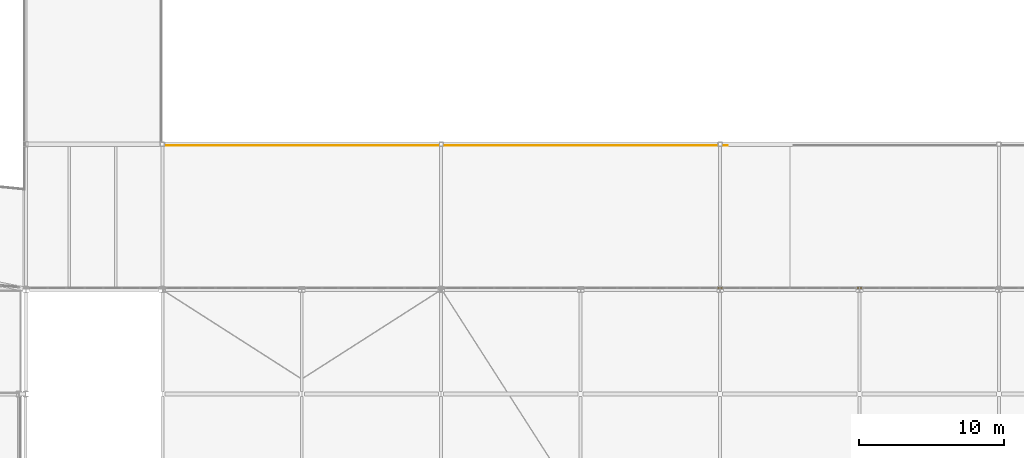
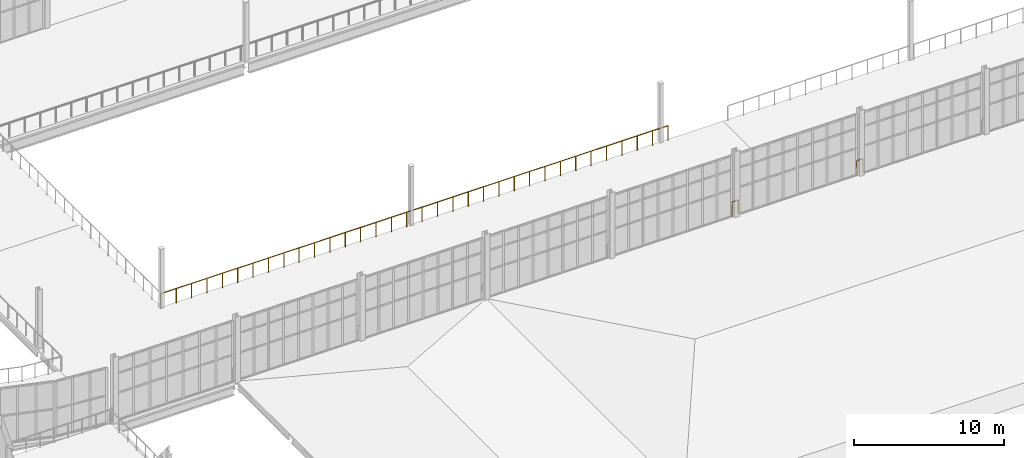
# One storey, part 105 of 112: 3 railings.
"""IFC4 building model written with IfcOpenShell, lengths in metres."""

import ifcopenshell
import ifcopenshell.guid

model = None  # the IFC model being written
_history = None  # IfcOwnerHistory: only IFC2X3 demands one
_inside = {}  # id of a spatial element -> (the spatial element, [elements in it])
_under = {}  # id of a project, library or spatial element -> (it, [spatial elements below it])
_declared = {}  # id of a project -> (the project, [libraries it declares])
_typed = {}  # id of a type object -> (the type object, [elements of that type])
_made_of = {}  # id of a material, layer set ... -> (it, [elements and type objects made of it])


def new_model(schema):
    """Start an empty IFC model of exactly this schema.

    Asked for "IFC4X3", IfcOpenShell would pick the latest addendum, in which some entities
    have other attributes; the version numbers below select the first issue.
    IFC2X3 requires an IfcOwnerHistory on every rooted entity: one is made here for all.
    """
    global model, _history
    if schema == "IFC4X3":
        model = ifcopenshell.file(schema_version=(4, 3, 0, 0))
    else:
        model = ifcopenshell.file(schema=schema)
    _inside.clear()
    _under.clear()
    _declared.clear()
    _typed.clear()
    _made_of.clear()
    _history = None
    if model.schema == "IFC2X3":
        org = make("IfcOrganization", Name="unknown")
        user = make(
            "IfcPersonAndOrganization",
            ThePerson=make("IfcPerson", FamilyName="unknown"),
            TheOrganization=org,
        )
        app = make(
            "IfcApplication",
            ApplicationDeveloper=org,
            Version="unknown",
            ApplicationFullName="unknown",
            ApplicationIdentifier="unknown",
        )
        _history = make(
            "IfcOwnerHistory",
            OwningUser=user,
            OwningApplication=app,
            ChangeAction="ADDED",
            CreationDate=0,
        )
    return model


def make(cls, **values):
    """One entity of the class cls with the attributes given. An attribute that is None is left unset."""
    return model.create_entity(
        cls, **{name: value for name, value in values.items() if value is not None}
    )


def rooted(cls, **values):
    """An entity with a GlobalId (a new one), such as an element, a storey or a relation."""
    return make(cls, GlobalId=ifcopenshell.guid.new(), OwnerHistory=_history, **values)


def si_unit(unit_type, name, prefix=None):
    """IfcSIUnit, for example si_unit("LENGTHUNIT", "METRE", prefix="MILLI")."""
    return make("IfcSIUnit", UnitType=unit_type, Prefix=prefix, Name=name)


def assignment(units):
    """IfcUnitAssignment: the units of a project."""
    return None if units is None else make("IfcUnitAssignment", Units=units)


def point(xyz):
    """IfcCartesianPoint."""
    return None if xyz is None else make("IfcCartesianPoint", Coordinates=xyz)


def direction(xyz):
    """IfcDirection."""
    return None if xyz is None else make("IfcDirection", DirectionRatios=xyz)


def frame(location, z_axis=None, x_axis=None):
    """IfcAxis2Placement3D, a coordinate frame: its origin and axes. An axis left out is left unset."""
    return make(
        "IfcAxis2Placement3D",
        Location=point(location),
        Axis=direction(z_axis),
        RefDirection=direction(x_axis),
    )


def frame_2d(location, x_axis=None):
    """IfcAxis2Placement2D, a coordinate frame in the plane: its origin and x axis."""
    return make(
        "IfcAxis2Placement2D", Location=point(location), RefDirection=direction(x_axis)
    )


def origin():
    """The frame at (0, 0, 0) with its axes left unset."""
    return frame((0.0, 0.0, 0.0))


def origin_2d():
    """The frame at (0, 0) in the plane with its x axis left unset."""
    return frame_2d((0.0, 0.0))


def place(relative_to, where):
    """IfcLocalPlacement: puts the frame where relative to a parent placement (None: the world)."""
    return make(
        "IfcLocalPlacement", PlacementRelTo=relative_to, RelativePlacement=where
    )


def context(
    kind, dimensions, precision=None, world=None, true_north=None, identifier=None
):
    """IfcGeometricRepresentationContext, for example the 3D "Model" context."""
    return make(
        "IfcGeometricRepresentationContext",
        ContextIdentifier=identifier,
        ContextType=kind,
        CoordinateSpaceDimension=dimensions,
        Precision=precision,
        WorldCoordinateSystem=world,
        TrueNorth=true_north,
    )


def subcontext(parent, identifier, kind, view, scale=None):
    """IfcGeometricRepresentationSubContext, for example "Body" below "Model"."""
    return make(
        "IfcGeometricRepresentationSubContext",
        ContextIdentifier=identifier,
        ContextType=kind,
        ParentContext=parent,
        TargetScale=scale,
        TargetView=view,
    )


def project(units=None, contexts=None):
    """IfcProject with its units and contexts."""
    return rooted(
        "IfcProject",
        Name="project",
        RepresentationContexts=contexts,
        UnitsInContext=assignment(units),
    )


def spatial(cls, under=None, at=None, **own):
    """A site, building, storey or space (cls), placed at a placement, below another one or the project."""
    s = rooted(cls, ObjectPlacement=at, **own)
    if under is not None:
        _under.setdefault(under.id(), (under, []))[1].append(s)
    return s


def profile(cls, at=None, kind="AREA", **sizes):
    """A parametric profile (cls). Its sizes go by their IFC names, for example OverallWidth=200.0."""
    return make(cls, ProfileType=kind, Position=at, **sizes)


def circle(**sizes):
    """IfcCircleProfileDef."""
    return profile("IfcCircleProfileDef", **sizes)


def extrude(swept, where, along, depth):
    """IfcExtrudedAreaSolid: the profile swept, set in the frame where, extruded along a direction by depth."""
    return make(
        "IfcExtrudedAreaSolid",
        SweptArea=swept,
        Position=where,
        ExtrudedDirection=direction(along),
        Depth=depth,
    )


def shape(context_of_items, identifier, shape_type, items):
    """IfcShapeRepresentation: the items that make up one representation, for example the "Body"."""
    return make(
        "IfcShapeRepresentation",
        ContextOfItems=context_of_items,
        RepresentationIdentifier=identifier,
        RepresentationType=shape_type,
        Items=items,
    )


def material(Name=None, Category=None):
    """IfcMaterial."""
    return make("IfcMaterial", Name=Name, Category=Category)


def made_of(thing, what):
    """Note that an element or type object is made of a material, layer set ...; save() writes the relation."""
    if what is not None:
        _made_of.setdefault(what.id(), (what, []))[1].append(thing)
    return thing


def type_object(cls, material=None, **own):
    """A type object (cls), such as IfcWallType, which elements share."""
    return made_of(rooted(cls, **own), material)


def element(
    cls,
    number,
    at=None,
    inside=None,
    cuts=None,
    type_object=None,
    material=None,
    context=None,
    identifier="Body",
    shape_type=None,
    held_by="IfcProductDefinitionShape",
    body=None,
    shapes=None,
    **own,
):
    """One element of the class cls, such as IfcWall. Its Tag is "e" and its number.

    at: its placement. inside: the storey or other place that contains it. cuts: it is an
    opening in that element (IfcRelVoidsElement). A single representation is given by context,
    identifier, shape_type and body (its items); several are given by shapes. held_by: the class
    of the entity that holds the representations. save() writes the other relations.
    """
    e = rooted(cls, Tag="e%d" % number, ObjectPlacement=at, **own)
    if body is not None:
        shapes = [shape(context, identifier, shape_type, body)]
    if shapes is not None:
        e.Representation = make(held_by, Representations=shapes)
    if inside is not None:
        _inside.setdefault(inside.id(), (inside, []))[1].append(e)
    if cuts is not None:
        rooted(
            "IfcRelVoidsElement", RelatingBuildingElement=cuts, RelatedOpeningElement=e
        )
    if type_object is not None:
        _typed.setdefault(type_object.id(), (type_object, []))[1].append(e)
    return made_of(e, material)


def aggregate(whole, parts):
    """IfcRelAggregates: a whole, such as a stair, and the parts it consists of."""
    return rooted("IfcRelAggregates", RelatingObject=whole, RelatedObjects=parts)


def save(model, path):
    """Write the relations noted so far, then the file.

    IfcRelAggregates (storeys below a building ...), IfcRelContainedInSpatialStructure (elements
    in a storey), IfcRelDefinesByType, IfcRelAssociatesMaterial and IfcRelDeclares: one each for
    every whole, place, type object, material and project.
    """
    for whole, parts in _under.values():
        aggregate(whole, parts)
    for where, things in _inside.values():
        rooted(
            "IfcRelContainedInSpatialStructure",
            RelatedElements=things,
            RelatingStructure=where,
        )
    for kind, things in _typed.values():
        rooted("IfcRelDefinesByType", RelatedObjects=things, RelatingType=kind)
    for what, things in _made_of.values():
        rooted("IfcRelAssociatesMaterial", RelatedObjects=things, RelatingMaterial=what)
    for by, libraries in _declared.values():
        rooted("IfcRelDeclares", RelatingContext=by, RelatedDefinitions=libraries)
    model.write(path)


model = new_model("IFC4")

# Units and contexts
model_context = context("Model", 3, precision=1e-05, world=origin(), true_north=direction((0.0, 1.0)))
body_context = subcontext(model_context, "Body", "Model", "MODEL_VIEW")
ifc_project = project(units=[si_unit("LENGTHUNIT", "METRE"), si_unit("AREAUNIT", "SQUARE_METRE"), si_unit("VOLUMEUNIT", "CUBIC_METRE"), si_unit("PLANEANGLEUNIT", "RADIAN"), si_unit("MASSUNIT", "GRAM", prefix="KILO")], contexts=[model_context])

# Site, building, storey
site_placement = place(None, origin())
site = spatial("IfcSite", under=ifc_project, at=site_placement, CompositionType="ELEMENT")
building_placement = place(site_placement, origin())
building = spatial("IfcBuilding", under=site, at=building_placement, Name="Yeouljin Market Hall", CompositionType="ELEMENT")
storey_placement = place(building_placement, frame((0.0, 0.0, 6.0)))
storey = spatial("IfcBuildingStorey", under=building, at=storey_placement, Name="L01", CompositionType="ELEMENT", Elevation=6.0)

# Railings
ifc_material = material(Name="Wrought Iron and Bronze Gallery Balustrade")
railing_type = type_object("IfcRailingType", Name="Railing_AtriumBalustrade_1200", PredefinedType="BALUSTRADE", material=ifc_material)
for number, where, name in (
    (1, (93.25, 36.10009765625, 0.0), "Gallery & deck edge balustrade L01-094"),
    (2, (83.64990234375, 36.10009765625, 0.0), "Gallery & deck edge balustrade L01-095"),
):
    element("IfcRailing", number, at=place(storey_placement, frame(where)), inside=storey, type_object=railing_type, Name=name, PredefinedType="BALUSTRADE", context=body_context, shape_type="SweptSolid", body=[
        extrude(circle(Radius=0.02392578125, at=origin_2d()), frame((0.0, 0.0, 1.17578125), z_axis=(-1.0, 0.0, 0.0), x_axis=(0.0, -1.0, 0.0)), (0.0, 0.0, 1.0), 0.5),
        extrude(circle(Radius=0.02099609375, at=origin_2d()), origin(), (0.0, 0.0, 1.0), 1.15185546875),
        extrude(circle(Radius=0.02099609375, at=origin_2d()), frame((-0.5, 0.0, 0.0)), (0.0, 0.0, 1.0), 1.15185546875),
    ])
railing_placement = place(storey_placement, frame((44.89990234375, 45.89990234375, 0.0)))
element("IfcRailing", 3, at=railing_placement, inside=storey, type_object=railing_type, Name="Gallery & deck edge balustrade L01-119", PredefinedType="BALUSTRADE", context=body_context, shape_type="SweptSolid", body=[
    extrude(circle(Radius=0.02392578125, at=origin_2d()), frame((0.0, 0.0, 1.17578125), z_axis=(1.0, 0.0, 0.0), x_axis=(0.0, 1.0, 0.0)), (0.0, 0.0, 1.0), 39.0),
    extrude(circle(Radius=0.02099609375, at=origin_2d()), origin(), (0.0, 0.0, 1.0), 1.15185546875),
    extrude(circle(Radius=0.02099609375, at=origin_2d()), frame((1.181884765625, 0.0, 0.0)), (0.0, 0.0, 1.0), 1.15185546875),
    extrude(circle(Radius=0.02099609375, at=origin_2d()), frame((2.363525390625, 0.0, 0.0)), (0.0, 0.0, 1.0), 1.15185546875),
    extrude(circle(Radius=0.02099609375, at=origin_2d()), frame((3.54541015625, 0.0, 0.0)), (0.0, 0.0, 1.0), 1.15185546875),
    extrude(circle(Radius=0.02099609375, at=origin_2d()), frame((4.727294921875, 0.0, 0.0)), (0.0, 0.0, 1.0), 1.15185546875),
    extrude(circle(Radius=0.02099609375, at=origin_2d()), frame((5.9091796875, 0.0, 0.0)), (0.0, 0.0, 1.0), 1.15185546875),
    extrude(circle(Radius=0.02099609375, at=origin_2d()), frame((7.0908203125, 0.0, 0.0)), (0.0, 0.0, 1.0), 1.15185546875),
    extrude(circle(Radius=0.02099609375, at=origin_2d()), frame((8.272705078125, 0.0, 0.0)), (0.0, 0.0, 1.0), 1.15185546875),
    extrude(circle(Radius=0.02099609375, at=origin_2d()), frame((9.45458984375, 0.0, 0.0)), (0.0, 0.0, 1.0), 1.15185546875),
    extrude(circle(Radius=0.02099609375, at=origin_2d()), frame((10.636474609375, 0.0, 0.0)), (0.0, 0.0, 1.0), 1.15185546875),
    extrude(circle(Radius=0.02099609375, at=origin_2d()), frame((11.818115234375, 0.0, 0.0)), (0.0, 0.0, 1.0), 1.15185546875),
    extrude(circle(Radius=0.02099609375, at=origin_2d()), frame((13.0, 0.0, 0.0)), (0.0, 0.0, 1.0), 1.15185546875),
    extrude(circle(Radius=0.02099609375, at=origin_2d()), frame((14.181884765625, 0.0, 0.0)), (0.0, 0.0, 1.0), 1.15185546875),
    extrude(circle(Radius=0.02099609375, at=origin_2d()), frame((15.363525390625, 0.0, 0.0)), (0.0, 0.0, 1.0), 1.15185546875),
    extrude(circle(Radius=0.02099609375, at=origin_2d()), frame((16.54541015625, 0.0, 0.0)), (0.0, 0.0, 1.0), 1.15185546875),
    extrude(circle(Radius=0.02099609375, at=origin_2d()), frame((17.727294921875, 0.0, 0.0)), (0.0, 0.0, 1.0), 1.15185546875),
    extrude(circle(Radius=0.02099609375, at=origin_2d()), frame((18.9091796875, 0.0, 0.0)), (0.0, 0.0, 1.0), 1.15185546875),
    extrude(circle(Radius=0.02099609375, at=origin_2d()), frame((20.0908203125, 0.0, 0.0)), (0.0, 0.0, 1.0), 1.15185546875),
    extrude(circle(Radius=0.02099609375, at=origin_2d()), frame((21.272705078125, 0.0, 0.0)), (0.0, 0.0, 1.0), 1.15185546875),
    extrude(circle(Radius=0.02099609375, at=origin_2d()), frame((22.45458984375, 0.0, 0.0)), (0.0, 0.0, 1.0), 1.15185546875),
    extrude(circle(Radius=0.02099609375, at=origin_2d()), frame((23.636474609375, 0.0, 0.0)), (0.0, 0.0, 1.0), 1.15185546875),
    extrude(circle(Radius=0.02099609375, at=origin_2d()), frame((24.818115234375, 0.0, 0.0)), (0.0, 0.0, 1.0), 1.15185546875),
    extrude(circle(Radius=0.02099609375, at=origin_2d()), frame((26.0, 0.0, 0.0)), (0.0, 0.0, 1.0), 1.15185546875),
    extrude(circle(Radius=0.02099609375, at=origin_2d()), frame((27.181884765625, 0.0, 0.0)), (0.0, 0.0, 1.0), 1.15185546875),
    extrude(circle(Radius=0.02099609375, at=origin_2d()), frame((28.363525390625, 0.0, 0.0)), (0.0, 0.0, 1.0), 1.15185546875),
    extrude(circle(Radius=0.02099609375, at=origin_2d()), frame((29.54541015625, 0.0, 0.0)), (0.0, 0.0, 1.0), 1.15185546875),
    extrude(circle(Radius=0.02099609375, at=origin_2d()), frame((30.727294921875, 0.0, 0.0)), (0.0, 0.0, 1.0), 1.15185546875),
    extrude(circle(Radius=0.02099609375, at=origin_2d()), frame((31.9091796875, 0.0, 0.0)), (0.0, 0.0, 1.0), 1.15185546875),
    extrude(circle(Radius=0.02099609375, at=origin_2d()), frame((33.0908203125, 0.0, 0.0)), (0.0, 0.0, 1.0), 1.15185546875),
    extrude(circle(Radius=0.02099609375, at=origin_2d()), frame((34.272705078125, 0.0, 0.0)), (0.0, 0.0, 1.0), 1.15185546875),
    extrude(circle(Radius=0.02099609375, at=origin_2d()), frame((35.45458984375, 0.0, 0.0)), (0.0, 0.0, 1.0), 1.15185546875),
    extrude(circle(Radius=0.02099609375, at=origin_2d()), frame((36.636474609375, 0.0, 0.0)), (0.0, 0.0, 1.0), 1.15185546875),
    extrude(circle(Radius=0.02099609375, at=origin_2d()), frame((37.818115234375, 0.0, 0.0)), (0.0, 0.0, 1.0), 1.15185546875),
    extrude(circle(Radius=0.02099609375, at=origin_2d()), frame((39.0, 0.0, 0.0)), (0.0, 0.0, 1.0), 1.15185546875),
])

save(model, "model.ifc")
